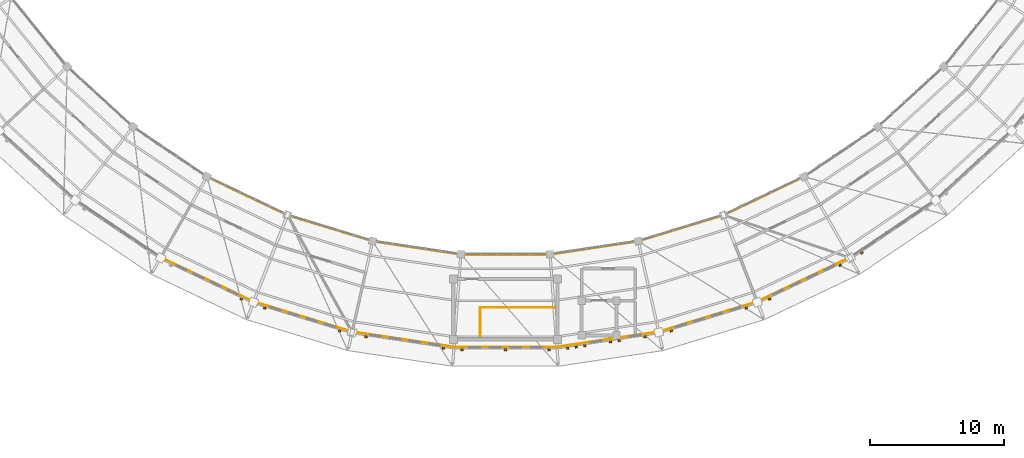
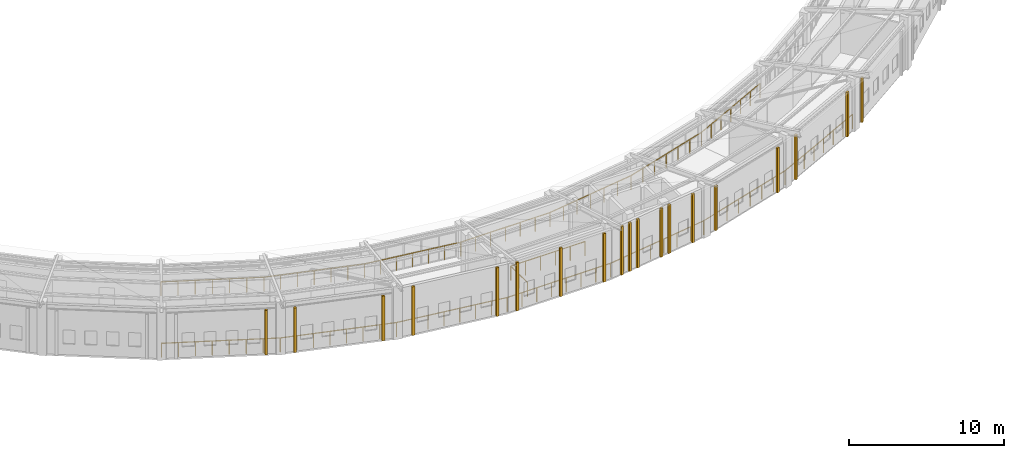
# One storey, part 140 of 149: 19 coverings, 16 railings.
"""IFC4 building model written with IfcOpenShell, lengths in metres."""

from ifc_helpers import new_model, si_unit, direction, frame, origin, origin_2d, place, context, subcontext, project, spatial, rectangle, circle, extrude, material, layer, layer_set, type_object, element, save


model = new_model("IFC4")

# Units and contexts
model_context = context("Model", 3, precision=1e-05, world=origin(), true_north=direction((0.0, 1.0)))
body_context = subcontext(model_context, "Body", "Model", "MODEL_VIEW")
ifc_project = project(units=[si_unit("LENGTHUNIT", "METRE"), si_unit("AREAUNIT", "SQUARE_METRE"), si_unit("VOLUMEUNIT", "CUBIC_METRE"), si_unit("PLANEANGLEUNIT", "RADIAN"), si_unit("MASSUNIT", "GRAM", prefix="KILO")], contexts=[model_context])

# Site, building, storey
site_placement = place(None, origin())
site = spatial("IfcSite", under=ifc_project, at=site_placement, CompositionType="ELEMENT")
building_placement = place(site_placement, origin())
building = spatial("IfcBuilding", under=site, at=building_placement, Name="Celadon Cloister-Ring School", CompositionType="ELEMENT")
storey_placement = place(building_placement, frame((0.0, 0.0, 12.5)))
storey = spatial("IfcBuildingStorey", under=building, at=storey_placement, Name="L03", CompositionType="ELEMENT", Elevation=12.5)

# Coverings
ifc_material_1 = material(Name="Perforated terracotta clay brick masonry", Category="masonry")
ifc_layer = layer(ifc_material_1, 0.139892578125)
ifc_layer_set = layer_set([ifc_layer], Name="Perforated terracotta clay brick masonry")
covering_type = type_object("IfcCoveringType", Name="CV-SC1", PredefinedType="CLADDING", material=ifc_layer_set)
for number, where, z_axis, x_axis, name in (
    (1, (67.2490234375, 10.77099609375, -0.00048828125), (0.0, 0.0, 1.0), (-0.902682940986, 0.430306295624, 0.0), "Brick Screen Rib 0369"),
    (2, (74.591064453125, 8.383056640625, -0.00048828125), (0.0, 0.0, 1.0), (-0.956371068383, 0.292154718533, 0.0), "Brick Screen Rib 0371"),
    (3, (68.99609375, 10.092041015625, -0.00048828125), (0.0, 0.0, 1.0), (-0.956371068383, 0.292154718533, 0.0), "Brick Screen Rib 0372"),
):
    element("IfcCovering", number, at=place(storey_placement, frame(where, z_axis=z_axis, x_axis=x_axis)), inside=storey, type_object=covering_type, Name=name, PredefinedType="CLADDING", context=body_context, shape_type="SweptSolid", body=[
        extrude(rectangle(XDim=0.179931640625, YDim=0.139892578125, at=origin_2d()), origin(), (0.0, 0.0, 1.0), 3.51708984375),
    ])
for number, where, z_axis, x_axis, name in (
    (4, (82.35888671875, 7.08203125, 0.0), (0.0, 0.0, 1.0), (-0.9890287584, 0.147723102651, 0.0), "Brick Screen Rib 0373"),
    (5, (76.572998046875, 7.946044921875, 0.0), (0.0, 0.0, 1.0), (-0.9890287584, 0.147723102651, 0.0), "Brick Screen Rib 0374"),
    (6, (90.259033203125, 6.966064453125, 0.0), (0.0, 0.0, 1.0), (-1.0, 0.0, 0.0), "Brick Screen Rib 0375"),
    (7, (87.009033203125, 6.966064453125, 0.0), (0.0, 0.0, 1.0), (-1.0, 0.0, 0.0), "Brick Screen Rib 0376"),
    (8, (83.759033203125, 6.966064453125, 0.0), (0.0, 0.0, 1.0), (-1.0, 0.0, 0.0), "Brick Screen Rib 0377"),
    (9, (97.43603515625, 7.947021484375, 0.0), (0.0, 0.0, 1.0), (-0.989033914307, -0.147688578945, 0.0), "Brick Screen Rib 0378"),
    (10, (95.507080078125, 7.658935546875, 0.0), (0.0, 0.0, 1.0), (-0.989033914307, -0.147688578945, 0.0), "Brick Screen Rib 0379"),
    (11, (94.864013671875, 7.56298828125, 0.0), (0.0, 0.0, 1.0), (-0.989033914307, -0.147688578945, 0.0), "Brick Screen Rib 0380"),
    (12, (92.93505859375, 7.27490234375, 0.0), (0.0, 0.0, 1.0), (-0.989033914307, -0.147688578945, 0.0), "Brick Screen Rib 0381"),
    (13, (92.29296875, 7.178955078125, 0.0), (0.0, 0.0, 1.0), (-0.989033914307, -0.147688578945, 0.0), "Brick Screen Rib 0382"),
    (14, (91.64990234375, 7.0830078125, 0.0), (0.0, 0.0, 1.0), (-0.989033914307, -0.147688578945, 0.0), "Brick Screen Rib 0383"),
):
    element("IfcCovering", number, at=place(storey_placement, frame(where, z_axis=z_axis, x_axis=x_axis)), inside=storey, type_object=covering_type, Name=name, PredefinedType="CLADDING", context=body_context, shape_type="SweptSolid", body=[
        extrude(rectangle(XDim=0.179931640625, YDim=0.139892578125, at=origin_2d()), origin(), (0.0, 0.0, 1.0), 3.830078125),
    ])
for number, where, z_axis, x_axis, name in (
    (15, (105.00390625, 10.092041015625, -0.00048828125), (0.0, 0.0, 1.0), (-0.956371068383, -0.292154718533, 0.0), "Brick Screen Rib 0384"),
    (16, (99.408935546875, 8.383056640625, -0.00048828125), (0.0, 0.0, 1.0), (-0.956371068383, -0.292154718533, 0.0), "Brick Screen Rib 0385"),
    (17, (112.031982421875, 13.2880859375, -0.00048828125), (0.0, 0.0, 1.0), (-0.902682940986, -0.430306295624, 0.0), "Brick Screen Rib 0386"),
    (18, (106.7509765625, 10.77099609375, -0.00048828125), (0.0, 0.0, 1.0), (-0.902682940986, -0.430306295624, 0.0), "Brick Screen Rib 0387"),
    (19, (113.658935546875, 14.218017578125, -0.00048828125), (0.0, 0.0, 1.0), (-0.829213207273, -0.558932426045, 0.0), "Brick Screen Rib 0389"),
):
    element("IfcCovering", number, at=place(storey_placement, frame(where, z_axis=z_axis, x_axis=x_axis)), inside=storey, type_object=covering_type, Name=name, PredefinedType="CLADDING", context=body_context, shape_type="SweptSolid", body=[
        extrude(rectangle(XDim=0.179931640625, YDim=0.139892578125, at=origin_2d()), origin(), (0.0, 0.0, 1.0), 3.51708984375),
    ])

# Railings
ifc_material_2 = material(Name="Structural steel S355JR", Category="steel")
railing_type_1 = type_object("IfcRailingType", Name="RL-BL1", PredefinedType="BALUSTRADE", material=ifc_material_2)
railing_1_placement = place(storey_placement, frame((61.22802734375, 13.882080078125, 0.0)))
element("IfcRailing", 20, at=railing_1_placement, inside=storey, type_object=railing_type_1, Name="Terrace Balustrade 0159", PredefinedType="BALUSTRADE", context=body_context, shape_type="SweptSolid", body=[
    extrude(circle(Radius=0.02392578125, at=origin_2d()), frame((0.0, 0.0, 1.09619140625), z_axis=(0.902686900331, -0.430297989736, 0.0), x_axis=(0.430297989736, 0.902686900331, 0.0)), (0.0, 0.0, 1.0), 7.697021484375),
    extrude(circle(Radius=0.02099609375, at=origin_2d()), origin(), (0.0, 0.0, 1.0), 1.072021484375),
    extrude(circle(Radius=0.02099609375, at=origin_2d()), frame((0.99267578125, -0.47314453125, 0.0)), (0.0, 0.0, 1.0), 1.072021484375),
    extrude(circle(Radius=0.02099609375, at=origin_2d()), frame((1.985107421875, -0.9462890625, 0.0)), (0.0, 0.0, 1.0), 1.072021484375),
    extrude(circle(Radius=0.02099609375, at=origin_2d()), frame((2.977783203125, -1.41943359375, 0.0)), (0.0, 0.0, 1.0), 1.072021484375),
    extrude(circle(Radius=0.02099609375, at=origin_2d()), frame((3.97021484375, -1.892578125, 0.0)), (0.0, 0.0, 1.0), 1.072021484375),
    extrude(circle(Radius=0.02099609375, at=origin_2d()), frame((4.962890625, -2.36572265625, 0.0)), (0.0, 0.0, 1.0), 1.072021484375),
    extrude(circle(Radius=0.02099609375, at=origin_2d()), frame((5.955322265625, -2.8388671875, 0.0)), (0.0, 0.0, 1.0), 1.072021484375),
    extrude(circle(Radius=0.02099609375, at=origin_2d()), frame((6.947998046875, -3.31201171875, 0.0)), (0.0, 0.0, 1.0), 1.072021484375),
])
railing_2_placement = place(storey_placement, frame((68.176025390625, 10.570068359375, 0.0)))
element("IfcRailing", 21, at=railing_2_placement, inside=storey, type_object=railing_type_1, Name="Terrace Balustrade 0160", PredefinedType="BALUSTRADE", context=body_context, shape_type="SweptSolid", body=[
    extrude(circle(Radius=0.02392578125, at=origin_2d()), frame((0.0, 0.0, 1.09619140625), z_axis=(0.95633408974, -0.29227574104, 0.0), x_axis=(0.29227574104, 0.95633408974, 0.0)), (0.0, 0.0, 1.0), 7.6982421875),
    extrude(circle(Radius=0.02099609375, at=origin_2d()), origin(), (0.0, 0.0, 1.0), 1.072021484375),
    extrude(circle(Radius=0.02099609375, at=origin_2d()), frame((1.0517578125, -0.321533203125, 0.0)), (0.0, 0.0, 1.0), 1.072021484375),
    extrude(circle(Radius=0.02099609375, at=origin_2d()), frame((2.103515625, -0.642822265625, 0.0)), (0.0, 0.0, 1.0), 1.072021484375),
    extrude(circle(Radius=0.02099609375, at=origin_2d()), frame((3.1552734375, -0.96435546875, 0.0)), (0.0, 0.0, 1.0), 1.072021484375),
    extrude(circle(Radius=0.02099609375, at=origin_2d()), frame((4.206787109375, -1.28564453125, 0.0)), (0.0, 0.0, 1.0), 1.072021484375),
    extrude(circle(Radius=0.02099609375, at=origin_2d()), frame((5.258544921875, -1.607177734375, 0.0)), (0.0, 0.0, 1.0), 1.072021484375),
    extrude(circle(Radius=0.02099609375, at=origin_2d()), frame((6.310302734375, -1.928466796875, 0.0)), (0.0, 0.0, 1.0), 1.072021484375),
    extrude(circle(Radius=0.02099609375, at=origin_2d()), frame((7.362060546875, -2.25, 0.0)), (0.0, 0.0, 1.0), 1.072021484375),
])
railing_3_placement = place(storey_placement, frame((75.5380859375, 8.320068359375, 0.0)))
element("IfcRailing", 22, at=railing_3_placement, inside=storey, type_object=railing_type_1, Name="Terrace Balustrade 0161", PredefinedType="BALUSTRADE", context=body_context, shape_type="SweptSolid", body=[
    extrude(circle(Radius=0.02392578125, at=origin_2d()), frame((0.0, 0.0, 1.09619140625), z_axis=(0.989030608427, -0.147710715908, 0.0), x_axis=(0.147710715908, 0.989030608427, 0.0)), (0.0, 0.0, 1.0), 7.697265625),
    extrude(circle(Radius=0.02099609375, at=origin_2d()), origin(), (0.0, 0.0, 1.0), 1.072021484375),
    extrude(circle(Radius=0.02099609375, at=origin_2d()), frame((1.087646484375, -0.162353515625, 0.0)), (0.0, 0.0, 1.0), 1.072021484375),
    extrude(circle(Radius=0.02099609375, at=origin_2d()), frame((2.175048828125, -0.324951171875, 0.0)), (0.0, 0.0, 1.0), 1.072021484375),
    extrude(circle(Radius=0.02099609375, at=origin_2d()), frame((3.2626953125, -0.4873046875, 0.0)), (0.0, 0.0, 1.0), 1.072021484375),
    extrude(circle(Radius=0.02099609375, at=origin_2d()), frame((4.35009765625, -0.649658203125, 0.0)), (0.0, 0.0, 1.0), 1.072021484375),
    extrude(circle(Radius=0.02099609375, at=origin_2d()), frame((5.437744140625, -0.81201171875, 0.0)), (0.0, 0.0, 1.0), 1.072021484375),
    extrude(circle(Radius=0.02099609375, at=origin_2d()), frame((6.525146484375, -0.974609375, 0.0)), (0.0, 0.0, 1.0), 1.072021484375),
    extrude(circle(Radius=0.02099609375, at=origin_2d()), frame((7.61279296875, -1.136962890625, 0.0)), (0.0, 0.0, 1.0), 1.072021484375),
])
railing_4_placement = place(storey_placement, frame((83.15087890625, 7.18310546875, 0.0)))
element("IfcRailing", 23, at=railing_4_placement, inside=storey, type_object=railing_type_1, Name="Terrace Balustrade 0162", PredefinedType="BALUSTRADE", context=body_context, shape_type="SweptSolid", body=[
    extrude(circle(Radius=0.02392578125, at=origin_2d()), frame((0.0, 0.0, 1.09619140625), z_axis=(1.0, 0.0, 0.0), x_axis=(0.0, 1.0, 0.0)), (0.0, 0.0, 1.0), 7.6982421875),
    extrude(circle(Radius=0.02099609375, at=origin_2d()), origin(), (0.0, 0.0, 1.0), 1.072021484375),
    extrude(circle(Radius=0.02099609375, at=origin_2d()), frame((1.099853515625, 0.0, 0.0)), (0.0, 0.0, 1.0), 1.072021484375),
    extrude(circle(Radius=0.02099609375, at=origin_2d()), frame((2.199462890625, 0.0, 0.0)), (0.0, 0.0, 1.0), 1.072021484375),
    extrude(circle(Radius=0.02099609375, at=origin_2d()), frame((3.29931640625, 0.0, 0.0)), (0.0, 0.0, 1.0), 1.072021484375),
    extrude(circle(Radius=0.02099609375, at=origin_2d()), frame((4.39892578125, 0.0, 0.0)), (0.0, 0.0, 1.0), 1.072021484375),
    extrude(circle(Radius=0.02099609375, at=origin_2d()), frame((5.498779296875, 0.0, 0.0)), (0.0, 0.0, 1.0), 1.072021484375),
    extrude(circle(Radius=0.02099609375, at=origin_2d()), frame((6.598388671875, 0.0, 0.0)), (0.0, 0.0, 1.0), 1.072021484375),
    extrude(circle(Radius=0.02099609375, at=origin_2d()), frame((7.6982421875, 0.0, 0.0)), (0.0, 0.0, 1.0), 1.072021484375),
])
railing_5_placement = place(storey_placement, frame((90.84912109375, 7.18310546875, 0.0)))
element("IfcRailing", 24, at=railing_5_placement, inside=storey, type_object=railing_type_1, Name="Terrace Balustrade 0163", PredefinedType="BALUSTRADE", context=body_context, shape_type="SweptSolid", body=[
    extrude(circle(Radius=0.02392578125, at=origin_2d()), frame((0.0, 0.0, 1.09619140625), z_axis=(0.989030608427, 0.147710715908, 0.0), x_axis=(-0.147710715908, 0.989030608427, 0.0)), (0.0, 0.0, 1.0), 7.697265625),
    extrude(circle(Radius=0.02099609375, at=origin_2d()), origin(), (0.0, 0.0, 1.0), 1.072021484375),
    extrude(circle(Radius=0.02099609375, at=origin_2d()), frame((1.087646484375, 0.162353515625, 0.0)), (0.0, 0.0, 1.0), 1.072021484375),
    extrude(circle(Radius=0.02099609375, at=origin_2d()), frame((2.175048828125, 0.324951171875, 0.0)), (0.0, 0.0, 1.0), 1.072021484375),
    extrude(circle(Radius=0.02099609375, at=origin_2d()), frame((3.2626953125, 0.4873046875, 0.0)), (0.0, 0.0, 1.0), 1.072021484375),
    extrude(circle(Radius=0.02099609375, at=origin_2d()), frame((4.35009765625, 0.649658203125, 0.0)), (0.0, 0.0, 1.0), 1.072021484375),
    extrude(circle(Radius=0.02099609375, at=origin_2d()), frame((5.437744140625, 0.81201171875, 0.0)), (0.0, 0.0, 1.0), 1.072021484375),
    extrude(circle(Radius=0.02099609375, at=origin_2d()), frame((6.525146484375, 0.974609375, 0.0)), (0.0, 0.0, 1.0), 1.072021484375),
    extrude(circle(Radius=0.02099609375, at=origin_2d()), frame((7.61279296875, 1.136962890625, 0.0)), (0.0, 0.0, 1.0), 1.072021484375),
])
railing_6_placement = place(storey_placement, frame((98.4619140625, 8.320068359375, 0.0)))
element("IfcRailing", 25, at=railing_6_placement, inside=storey, type_object=railing_type_1, Name="Terrace Balustrade 0164", PredefinedType="BALUSTRADE", context=body_context, shape_type="SweptSolid", body=[
    extrude(circle(Radius=0.02392578125, at=origin_2d()), frame((0.0, 0.0, 1.09619140625), z_axis=(0.95633408974, 0.29227574104, 0.0), x_axis=(-0.29227574104, 0.95633408974, 0.0)), (0.0, 0.0, 1.0), 7.6982421875),
    extrude(circle(Radius=0.02099609375, at=origin_2d()), origin(), (0.0, 0.0, 1.0), 1.072021484375),
    extrude(circle(Radius=0.02099609375, at=origin_2d()), frame((1.0517578125, 0.321533203125, 0.0)), (0.0, 0.0, 1.0), 1.072021484375),
    extrude(circle(Radius=0.02099609375, at=origin_2d()), frame((2.103515625, 0.642822265625, 0.0)), (0.0, 0.0, 1.0), 1.072021484375),
    extrude(circle(Radius=0.02099609375, at=origin_2d()), frame((3.1552734375, 0.96435546875, 0.0)), (0.0, 0.0, 1.0), 1.072021484375),
    extrude(circle(Radius=0.02099609375, at=origin_2d()), frame((4.206787109375, 1.28564453125, 0.0)), (0.0, 0.0, 1.0), 1.072021484375),
    extrude(circle(Radius=0.02099609375, at=origin_2d()), frame((5.258544921875, 1.607177734375, 0.0)), (0.0, 0.0, 1.0), 1.072021484375),
    extrude(circle(Radius=0.02099609375, at=origin_2d()), frame((6.310302734375, 1.928466796875, 0.0)), (0.0, 0.0, 1.0), 1.072021484375),
    extrude(circle(Radius=0.02099609375, at=origin_2d()), frame((7.362060546875, 2.25, 0.0)), (0.0, 0.0, 1.0), 1.072021484375),
])
railing_7_placement = place(storey_placement, frame((105.823974609375, 10.570068359375, 0.0)))
element("IfcRailing", 26, at=railing_7_placement, inside=storey, type_object=railing_type_1, Name="Terrace Balustrade 0165", PredefinedType="BALUSTRADE", context=body_context, shape_type="SweptSolid", body=[
    extrude(circle(Radius=0.02392578125, at=origin_2d()), frame((0.0, 0.0, 1.09619140625), z_axis=(0.902686900331, 0.430297989736, 0.0), x_axis=(-0.430297989736, 0.902686900331, 0.0)), (0.0, 0.0, 1.0), 7.697021484375),
    extrude(circle(Radius=0.02099609375, at=origin_2d()), origin(), (0.0, 0.0, 1.0), 1.072021484375),
    extrude(circle(Radius=0.02099609375, at=origin_2d()), frame((0.99267578125, 0.47314453125, 0.0)), (0.0, 0.0, 1.0), 1.072021484375),
    extrude(circle(Radius=0.02099609375, at=origin_2d()), frame((1.985107421875, 0.9462890625, 0.0)), (0.0, 0.0, 1.0), 1.072021484375),
    extrude(circle(Radius=0.02099609375, at=origin_2d()), frame((2.977783203125, 1.41943359375, 0.0)), (0.0, 0.0, 1.0), 1.072021484375),
    extrude(circle(Radius=0.02099609375, at=origin_2d()), frame((3.97021484375, 1.892578125, 0.0)), (0.0, 0.0, 1.0), 1.072021484375),
    extrude(circle(Radius=0.02099609375, at=origin_2d()), frame((4.962890625, 2.36572265625, 0.0)), (0.0, 0.0, 1.0), 1.072021484375),
    extrude(circle(Radius=0.02099609375, at=origin_2d()), frame((5.955322265625, 2.8388671875, 0.0)), (0.0, 0.0, 1.0), 1.072021484375),
    extrude(circle(Radius=0.02099609375, at=origin_2d()), frame((6.947998046875, 3.31201171875, 0.0)), (0.0, 0.0, 1.0), 1.072021484375),
])
railing_8_placement = place(storey_placement, frame((64.659912109375, 19.89111328125, 0.0)))
element("IfcRailing", 27, at=railing_8_placement, inside=storey, type_object=railing_type_1, Name="Terrace Balustrade 0194", PredefinedType="BALUSTRADE", context=body_context, shape_type="SweptSolid", body=[
    extrude(circle(Radius=0.02392578125, at=origin_2d()), frame((0.0, 0.0, 1.09619140625), z_axis=(0.90269136782, -0.430288617631, 0.0), x_axis=(0.430288617631, 0.90269136782, 0.0)), (0.0, 0.0, 1.0), 6.67236328125),
    extrude(circle(Radius=0.02099609375, at=origin_2d()), origin(), (0.0, 0.0, 1.0), 1.072021484375),
    extrude(circle(Radius=0.02099609375, at=origin_2d()), frame((1.00390625, -0.478515625, 0.0)), (0.0, 0.0, 1.0), 1.072021484375),
    extrude(circle(Radius=0.02099609375, at=origin_2d()), frame((2.0078125, -0.95703125, 0.0)), (0.0, 0.0, 1.0), 1.072021484375),
    extrude(circle(Radius=0.02099609375, at=origin_2d()), frame((3.01171875, -1.435546875, 0.0)), (0.0, 0.0, 1.0), 1.072021484375),
    extrude(circle(Radius=0.02099609375, at=origin_2d()), frame((4.015380859375, -1.9140625, 0.0)), (0.0, 0.0, 1.0), 1.072021484375),
    extrude(circle(Radius=0.02099609375, at=origin_2d()), frame((5.019287109375, -2.392578125, 0.0)), (0.0, 0.0, 1.0), 1.072021484375),
    extrude(circle(Radius=0.02099609375, at=origin_2d()), frame((6.023193359375, -2.87109375, 0.0)), (0.0, 0.0, 1.0), 1.072021484375),
])
railing_9_placement = place(storey_placement, frame((70.68310546875, 17.02001953125, 0.0)))
element("IfcRailing", 28, at=railing_9_placement, inside=storey, type_object=railing_type_1, Name="Terrace Balustrade 0195", PredefinedType="BALUSTRADE", context=body_context, shape_type="SweptSolid", body=[
    extrude(circle(Radius=0.02392578125, at=origin_2d()), frame((0.0, 0.0, 1.09619140625), z_axis=(0.956341344622, -0.292252001817, 0.0), x_axis=(0.292252001817, 0.956341344622, 0.0)), (0.0, 0.0, 1.0), 6.672119140625),
    extrude(circle(Radius=0.02099609375, at=origin_2d()), origin(), (0.0, 0.0, 1.0), 1.072021484375),
    extrude(circle(Radius=0.02099609375, at=origin_2d()), frame((1.0634765625, -0.324951171875, 0.0)), (0.0, 0.0, 1.0), 1.072021484375),
    extrude(circle(Radius=0.02099609375, at=origin_2d()), frame((2.126953125, -0.64990234375, 0.0)), (0.0, 0.0, 1.0), 1.072021484375),
    extrude(circle(Radius=0.02099609375, at=origin_2d()), frame((3.1904296875, -0.97509765625, 0.0)), (0.0, 0.0, 1.0), 1.072021484375),
    extrude(circle(Radius=0.02099609375, at=origin_2d()), frame((4.25390625, -1.300048828125, 0.0)), (0.0, 0.0, 1.0), 1.072021484375),
    extrude(circle(Radius=0.02099609375, at=origin_2d()), frame((5.3173828125, -1.625, 0.0)), (0.0, 0.0, 1.0), 1.072021484375),
    extrude(circle(Radius=0.02099609375, at=origin_2d()), frame((6.380859375, -1.949951171875, 0.0)), (0.0, 0.0, 1.0), 1.072021484375),
])
railing_10_placement = place(storey_placement, frame((77.06396484375, 15.070068359375, 0.0)))
element("IfcRailing", 29, at=railing_10_placement, inside=storey, type_object=railing_type_1, Name="Terrace Balustrade 0196", PredefinedType="BALUSTRADE", context=body_context, shape_type="SweptSolid", body=[
    extrude(circle(Radius=0.02392578125, at=origin_2d()), frame((0.0, 0.0, 1.09619140625), z_axis=(0.989022592255, -0.147764380044, 0.0), x_axis=(0.147764380044, 0.989022592255, 0.0)), (0.0, 0.0, 1.0), 6.67333984375),
    extrude(circle(Radius=0.02099609375, at=origin_2d()), origin(), (0.0, 0.0, 1.0), 1.072021484375),
    extrude(circle(Radius=0.02099609375, at=origin_2d()), frame((1.10009765625, -0.164306640625, 0.0)), (0.0, 0.0, 1.0), 1.072021484375),
    extrude(circle(Radius=0.02099609375, at=origin_2d()), frame((2.199951171875, -0.32861328125, 0.0)), (0.0, 0.0, 1.0), 1.072021484375),
    extrude(circle(Radius=0.02099609375, at=origin_2d()), frame((3.300048828125, -0.4931640625, 0.0)), (0.0, 0.0, 1.0), 1.072021484375),
    extrude(circle(Radius=0.02099609375, at=origin_2d()), frame((4.400146484375, -0.657470703125, 0.0)), (0.0, 0.0, 1.0), 1.072021484375),
    extrude(circle(Radius=0.02099609375, at=origin_2d()), frame((5.5, -0.82177734375, 0.0)), (0.0, 0.0, 1.0), 1.072021484375),
    extrude(circle(Radius=0.02099609375, at=origin_2d()), frame((6.60009765625, -0.986083984375, 0.0)), (0.0, 0.0, 1.0), 1.072021484375),
])
railing_11_placement = place(storey_placement, frame((83.6640625, 14.083984375, 0.0)))
element("IfcRailing", 30, at=railing_11_placement, inside=storey, type_object=railing_type_1, Name="Terrace Balustrade 0197", PredefinedType="BALUSTRADE", context=body_context, shape_type="SweptSolid", body=[
    extrude(circle(Radius=0.02392578125, at=origin_2d()), frame((0.0, 0.0, 1.09619140625), z_axis=(1.0, 0.0, 0.0), x_axis=(0.0, 1.0, 0.0)), (0.0, 0.0, 1.0), 6.671875),
    extrude(circle(Radius=0.02099609375, at=origin_2d()), origin(), (0.0, 0.0, 1.0), 1.072021484375),
    extrude(circle(Radius=0.02099609375, at=origin_2d()), frame((1.112060546875, 0.0, 0.0)), (0.0, 0.0, 1.0), 1.072021484375),
    extrude(circle(Radius=0.02099609375, at=origin_2d()), frame((2.223876953125, 0.0, 0.0)), (0.0, 0.0, 1.0), 1.072021484375),
    extrude(circle(Radius=0.02099609375, at=origin_2d()), frame((3.3359375, 0.0, 0.0)), (0.0, 0.0, 1.0), 1.072021484375),
    extrude(circle(Radius=0.02099609375, at=origin_2d()), frame((4.447998046875, 0.0, 0.0)), (0.0, 0.0, 1.0), 1.072021484375),
    extrude(circle(Radius=0.02099609375, at=origin_2d()), frame((5.559814453125, 0.0, 0.0)), (0.0, 0.0, 1.0), 1.072021484375),
    extrude(circle(Radius=0.02099609375, at=origin_2d()), frame((6.671875, 0.0, 0.0)), (0.0, 0.0, 1.0), 1.072021484375),
])
railing_12_placement = place(storey_placement, frame((90.3359375, 14.083984375, 0.0)))
element("IfcRailing", 31, at=railing_12_placement, inside=storey, type_object=railing_type_1, Name="Terrace Balustrade 0198", PredefinedType="BALUSTRADE", context=body_context, shape_type="SweptSolid", body=[
    extrude(circle(Radius=0.02392578125, at=origin_2d()), frame((0.0, 0.0, 1.09619140625), z_axis=(0.989022592255, 0.147764380044, 0.0), x_axis=(-0.147764380044, 0.989022592255, 0.0)), (0.0, 0.0, 1.0), 6.67333984375),
    extrude(circle(Radius=0.02099609375, at=origin_2d()), origin(), (0.0, 0.0, 1.0), 1.072021484375),
    extrude(circle(Radius=0.02099609375, at=origin_2d()), frame((1.10009765625, 0.164306640625, 0.0)), (0.0, 0.0, 1.0), 1.072021484375),
    extrude(circle(Radius=0.02099609375, at=origin_2d()), frame((2.199951171875, 0.32861328125, 0.0)), (0.0, 0.0, 1.0), 1.072021484375),
    extrude(circle(Radius=0.02099609375, at=origin_2d()), frame((3.300048828125, 0.4931640625, 0.0)), (0.0, 0.0, 1.0), 1.072021484375),
    extrude(circle(Radius=0.02099609375, at=origin_2d()), frame((4.400146484375, 0.657470703125, 0.0)), (0.0, 0.0, 1.0), 1.072021484375),
    extrude(circle(Radius=0.02099609375, at=origin_2d()), frame((5.5, 0.82177734375, 0.0)), (0.0, 0.0, 1.0), 1.072021484375),
    extrude(circle(Radius=0.02099609375, at=origin_2d()), frame((6.60009765625, 0.986083984375, 0.0)), (0.0, 0.0, 1.0), 1.072021484375),
])
railing_13_placement = place(storey_placement, frame((96.93603515625, 15.070068359375, 0.0)))
element("IfcRailing", 32, at=railing_13_placement, inside=storey, type_object=railing_type_1, Name="Terrace Balustrade 0199", PredefinedType="BALUSTRADE", context=body_context, shape_type="SweptSolid", body=[
    extrude(circle(Radius=0.02392578125, at=origin_2d()), frame((0.0, 0.0, 1.09619140625), z_axis=(0.956341344622, 0.292252001817, 0.0), x_axis=(-0.292252001817, 0.956341344622, 0.0)), (0.0, 0.0, 1.0), 6.672119140625),
    extrude(circle(Radius=0.02099609375, at=origin_2d()), origin(), (0.0, 0.0, 1.0), 1.072021484375),
    extrude(circle(Radius=0.02099609375, at=origin_2d()), frame((1.0634765625, 0.324951171875, 0.0)), (0.0, 0.0, 1.0), 1.072021484375),
    extrude(circle(Radius=0.02099609375, at=origin_2d()), frame((2.126953125, 0.64990234375, 0.0)), (0.0, 0.0, 1.0), 1.072021484375),
    extrude(circle(Radius=0.02099609375, at=origin_2d()), frame((3.1904296875, 0.97509765625, 0.0)), (0.0, 0.0, 1.0), 1.072021484375),
    extrude(circle(Radius=0.02099609375, at=origin_2d()), frame((4.25390625, 1.300048828125, 0.0)), (0.0, 0.0, 1.0), 1.072021484375),
    extrude(circle(Radius=0.02099609375, at=origin_2d()), frame((5.3173828125, 1.625, 0.0)), (0.0, 0.0, 1.0), 1.072021484375),
    extrude(circle(Radius=0.02099609375, at=origin_2d()), frame((6.380859375, 1.949951171875, 0.0)), (0.0, 0.0, 1.0), 1.072021484375),
])
railing_14_placement = place(storey_placement, frame((103.31689453125, 17.02001953125, 0.0)))
element("IfcRailing", 33, at=railing_14_placement, inside=storey, type_object=railing_type_1, Name="Terrace Balustrade 0200", PredefinedType="BALUSTRADE", context=body_context, shape_type="SweptSolid", body=[
    extrude(circle(Radius=0.02392578125, at=origin_2d()), frame((0.0, 0.0, 1.09619140625), z_axis=(0.90269136782, 0.430288617631, 0.0), x_axis=(-0.430288617631, 0.90269136782, 0.0)), (0.0, 0.0, 1.0), 6.67236328125),
    extrude(circle(Radius=0.02099609375, at=origin_2d()), origin(), (0.0, 0.0, 1.0), 1.072021484375),
    extrude(circle(Radius=0.02099609375, at=origin_2d()), frame((1.00390625, 0.478515625, 0.0)), (0.0, 0.0, 1.0), 1.072021484375),
    extrude(circle(Radius=0.02099609375, at=origin_2d()), frame((2.0078125, 0.95703125, 0.0)), (0.0, 0.0, 1.0), 1.072021484375),
    extrude(circle(Radius=0.02099609375, at=origin_2d()), frame((3.01171875, 1.435546875, 0.0)), (0.0, 0.0, 1.0), 1.072021484375),
    extrude(circle(Radius=0.02099609375, at=origin_2d()), frame((4.015380859375, 1.9140625, 0.0)), (0.0, 0.0, 1.0), 1.072021484375),
    extrude(circle(Radius=0.02099609375, at=origin_2d()), frame((5.019287109375, 2.392578125, 0.0)), (0.0, 0.0, 1.0), 1.072021484375),
    extrude(circle(Radius=0.02099609375, at=origin_2d()), frame((6.023193359375, 2.87109375, 0.0)), (0.0, 0.0, 1.0), 1.072021484375),
])
ifc_material_3 = material(Name="Structural steel S355JR", Category="steel")
railing_type_2 = type_object("IfcRailingType", Name="RL-BL2", PredefinedType="BALUSTRADE", material=ifc_material_3)
railing_15_placement = place(storey_placement, frame((85.1201171875, 7.989990234375, 0.0)))
element("IfcRailing", 34, at=railing_15_placement, inside=storey, type_object=railing_type_2, Name="Interior Guard 0230", PredefinedType="BALUSTRADE", context=body_context, shape_type="SweptSolid", body=[
    extrude(circle(Radius=0.02392578125, at=origin_2d()), frame((0.0, 0.0, 1.09619140625), z_axis=(0.0, 1.0, 0.0), x_axis=(-1.0, 0.0, 0.0)), (0.0, 0.0, 1.0), 2.139892578125),
    extrude(circle(Radius=0.02099609375, at=origin_2d()), origin(), (0.0, 0.0, 1.0), 1.072021484375),
    extrude(circle(Radius=0.02099609375, at=origin_2d()), frame((0.0, 1.06982421875, 0.0)), (0.0, 0.0, 1.0), 1.072021484375),
    extrude(circle(Radius=0.02099609375, at=origin_2d()), frame((0.0, 2.139892578125, 0.0)), (0.0, 0.0, 1.0), 1.072021484375),
])
railing_16_placement = place(storey_placement, frame((85.1201171875, 10.1298828125, 0.0)))
element("IfcRailing", 35, at=railing_16_placement, inside=storey, type_object=railing_type_2, Name="Interior Guard 0231", PredefinedType="BALUSTRADE", context=body_context, shape_type="SweptSolid", body=[
    extrude(circle(Radius=0.02392578125, at=origin_2d()), frame((0.0, 0.0, 1.09619140625), z_axis=(1.0, 0.0, 0.0), x_axis=(0.0, 1.0, 0.0)), (0.0, 0.0, 1.0), 5.539794921875),
    extrude(circle(Radius=0.02099609375, at=origin_2d()), origin(), (0.0, 0.0, 1.0), 1.072021484375),
    extrude(circle(Radius=0.02099609375, at=origin_2d()), frame((1.10791015625, 0.0, 0.0)), (0.0, 0.0, 1.0), 1.072021484375),
    extrude(circle(Radius=0.02099609375, at=origin_2d()), frame((2.2158203125, 0.0, 0.0)), (0.0, 0.0, 1.0), 1.072021484375),
    extrude(circle(Radius=0.02099609375, at=origin_2d()), frame((3.323974609375, 0.0, 0.0)), (0.0, 0.0, 1.0), 1.072021484375),
    extrude(circle(Radius=0.02099609375, at=origin_2d()), frame((4.431884765625, 0.0, 0.0)), (0.0, 0.0, 1.0), 1.072021484375),
    extrude(circle(Radius=0.02099609375, at=origin_2d()), frame((5.539794921875, 0.0, 0.0)), (0.0, 0.0, 1.0), 1.072021484375),
])

save(model, "model.ifc")
